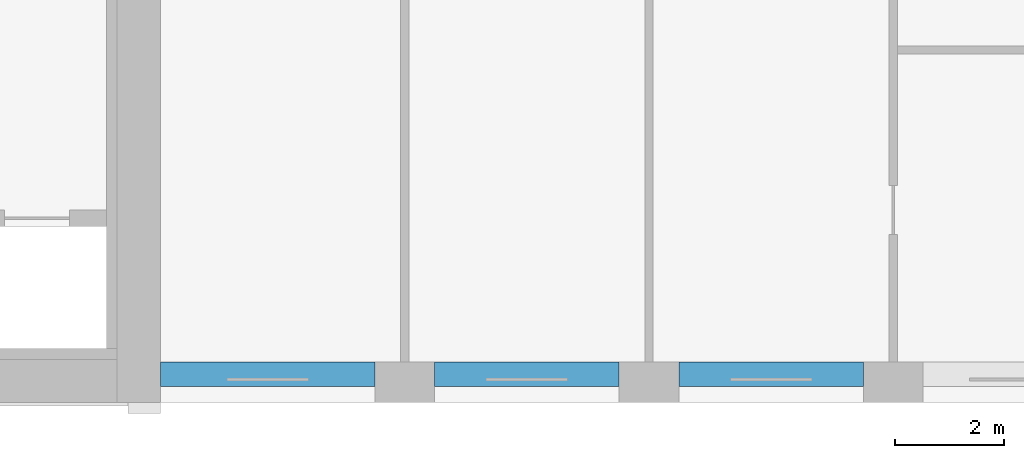
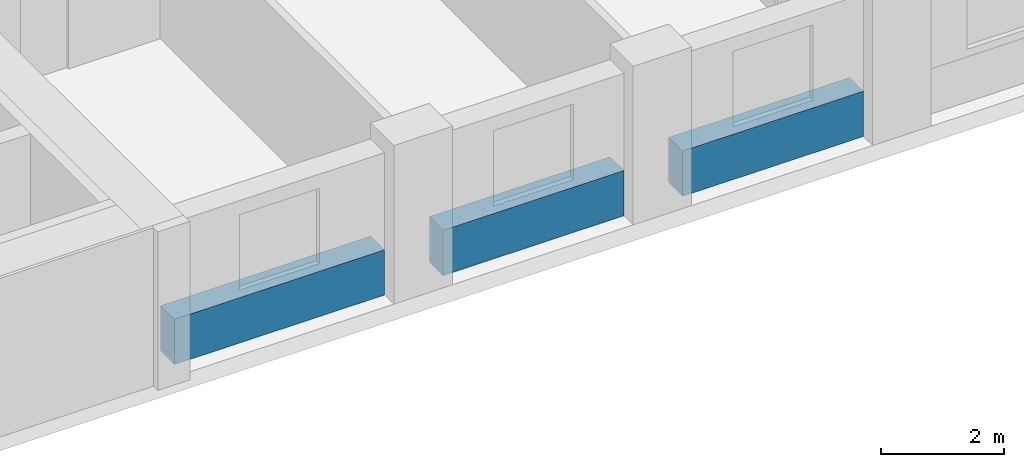
# One storey, part 3 of 16: 3 beams.
"""IFC4 building model written with IfcOpenShell, lengths in metres."""

from ifc_helpers import new_model, si_unit, direction, frame, origin, origin_2d, place, context, subcontext, project, spatial, rectangle, extrude, material, material_profile, profile_set, type_object, element, save


model = new_model("IFC4")

# Units and contexts
model_context = context("Model", 3, precision=1e-05, world=origin(), true_north=direction((0.0, 1.0)))
body_context = subcontext(model_context, "Body", "Model", "MODEL_VIEW")
ifc_project = project(units=[si_unit("LENGTHUNIT", "METRE"), si_unit("AREAUNIT", "SQUARE_METRE"), si_unit("VOLUMEUNIT", "CUBIC_METRE"), si_unit("PLANEANGLEUNIT", "RADIAN"), si_unit("MASSUNIT", "GRAM", prefix="KILO")], contexts=[model_context])

# Site, building, storey
site_placement = place(None, origin())
site = spatial("IfcSite", under=ifc_project, at=site_placement, CompositionType="ELEMENT")
building_placement = place(site_placement, origin())
building = spatial("IfcBuilding", under=site, at=building_placement, Name="Brigalow Station Residences", CompositionType="ELEMENT")
storey_placement = place(building_placement, frame((0.0, 0.0, 93.0)))
storey = spatial("IfcBuildingStorey", under=building, at=storey_placement, Name="L26", CompositionType="ELEMENT", Elevation=93.0)

# Beams
ifc_material = material(Name="Concrete C65", Category="concrete")
ifc_material_profile = material_profile(ifc_material, rectangle(XDim=0.449951171875, YDim=0.89990234375, at=origin_2d()), Name="RC450x900")
ifc_profile_set = profile_set([ifc_material_profile], Name="Concrete C65")
beam_type = type_object("IfcBeamType", Name="SPANDREL BEAM 450x900 C65", PredefinedType="SPANDREL", material=ifc_profile_set)
beam_placement = place(storey_placement, frame((54.0, 0.52490234375, 0.449951171875), z_axis=(1.0, 0.0, 0.0), x_axis=(0.0, 1.0, 0.0)))
element("IfcBeam", 1, at=beam_placement, inside=storey, type_object=beam_type, Name="L26/spandrel/W-L26-4", PredefinedType="SPANDREL", context=body_context, shape_type="SweptSolid", body=[
    extrude(rectangle(XDim=0.449951171875, YDim=0.89990234375, at=origin_2d()), origin(), (0.0, 0.0, 1.0), 3.949951171875),
])
for number, where, z_axis, x_axis, name in (
    (2, (59.050048828125, 0.52490234375, 0.449951171875), (1.0, 0.0, 0.0), (0.0, 1.0, 0.0), "L26/spandrel/W-L26-5"),
    (3, (63.550048828125, 0.52490234375, 0.449951171875), (1.0, 0.0, 0.0), (0.0, 1.0, 0.0), "L26/spandrel/W-L26-6"),
):
    element("IfcBeam", number, at=place(storey_placement, frame(where, z_axis=z_axis, x_axis=x_axis)), inside=storey, type_object=beam_type, Name=name, PredefinedType="SPANDREL", context=body_context, shape_type="SweptSolid", body=[
        extrude(rectangle(XDim=0.449951171875, YDim=0.89990234375, at=origin_2d()), origin(), (0.0, 0.0, 1.0), 3.39990234375),
    ])

save(model, "model.ifc")
